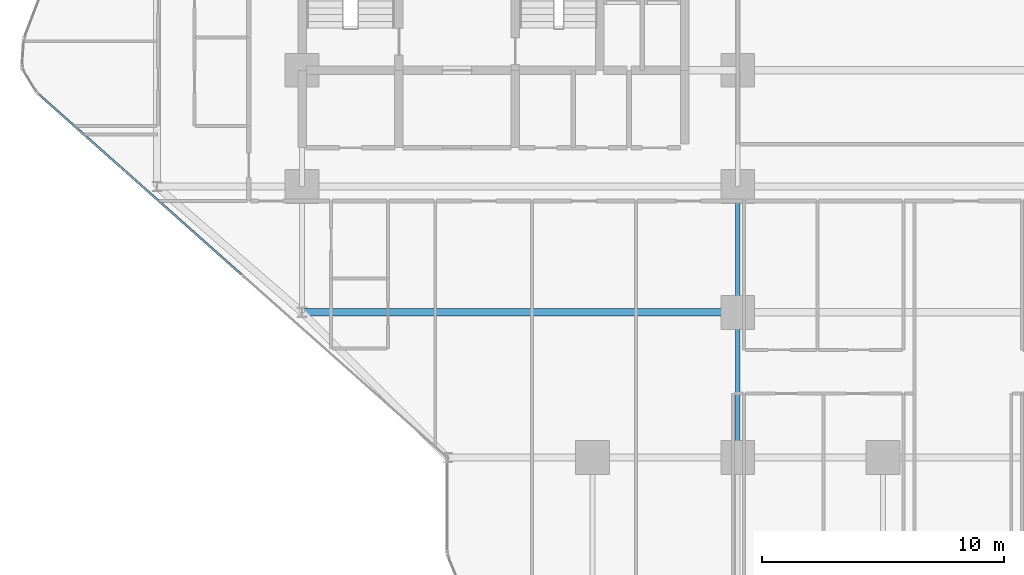
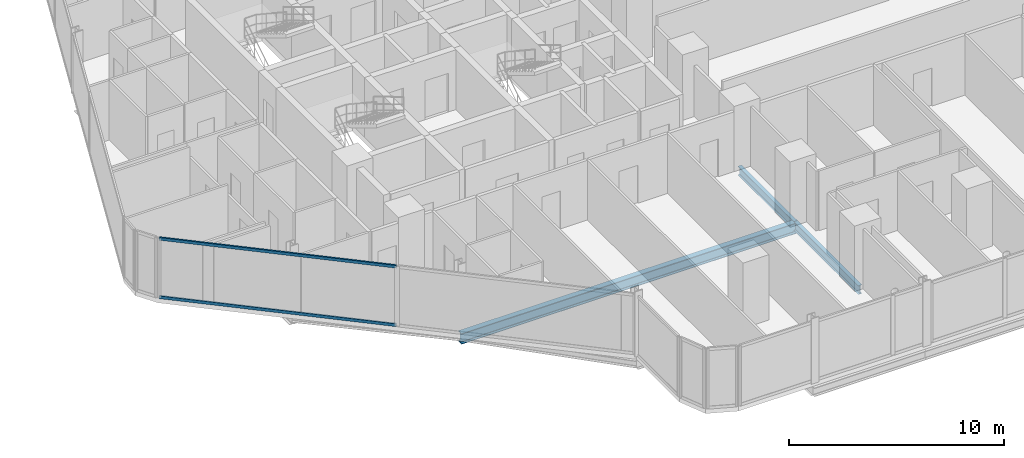
# One storey, part 4 of 33: 3 beams, 2 members, 1 element without a shape of its own.
"""IFC4 building model written with IfcOpenShell, lengths in metres."""

from ifc_helpers import new_model, si_unit, direction, frame, origin, origin_2d, place, context, subcontext, project, spatial, hollow_rectangle, i_section, extrude, material, layer, layer_set, material_profile, profile_set, type_object, element, aggregate, save


model = new_model("IFC4")

# Units and contexts
model_context = context("Model", 3, precision=1e-05, world=origin(), true_north=direction((0.0, 1.0)))
body_context = subcontext(model_context, "Body", "Model", "MODEL_VIEW")
ifc_project = project(units=[si_unit("LENGTHUNIT", "METRE"), si_unit("AREAUNIT", "SQUARE_METRE"), si_unit("VOLUMEUNIT", "CUBIC_METRE"), si_unit("PLANEANGLEUNIT", "RADIAN"), si_unit("MASSUNIT", "GRAM", prefix="KILO")], contexts=[model_context])

# Site, building, storey
site_placement = place(None, origin())
site = spatial("IfcSite", under=ifc_project, at=site_placement, CompositionType="ELEMENT")
building_placement = place(site_placement, origin())
building = spatial("IfcBuilding", under=site, at=building_placement, Name="Keshet Zoharim Tower", CompositionType="ELEMENT")
storey_placement = place(building_placement, frame((0.0, 0.0, 49.89990234375)))
storey = spatial("IfcBuildingStorey", under=building, at=storey_placement, Name="L11", CompositionType="ELEMENT", Elevation=49.89990234375)

# Beams
ifc_material_1 = material(Name="Steel S355", Category="steel")
ifc_material_profile_1 = material_profile(ifc_material_1, i_section(OverallWidth=0.300048828125, OverallDepth=0.60009765625, WebThickness=0.015380859375, FlangeThickness=0.030029296875, FilletRadius=0.027099609375, at=origin_2d()), Name="HEB600")
ifc_profile_set_1 = profile_set([ifc_material_profile_1], Name="Steel S355")
beam_type_1 = type_object("IfcBeamType", Name="BM-LNG-HB600", PredefinedType="BEAM", material=ifc_profile_set_1)
beam_1_placement = place(storey_placement, frame((15.0, 12.699951171875, -0.614990234375), z_axis=(1.0, 0.0, 0.0), x_axis=(0.0, 1.0, 0.0)))
element("IfcBeam", 1, at=beam_1_placement, inside=storey, type_object=beam_type_1, Name="L11 Primary Girder X-011", PredefinedType="BEAM", context=body_context, shape_type="SweptSolid", body=[
    extrude(i_section(OverallWidth=0.300048828125, OverallDepth=0.60009765625, WebThickness=0.015380859375, FlangeThickness=0.030029296875, FilletRadius=0.027099609375, at=origin_2d()), origin(), (0.0, 0.0, 1.0), 18.0),
])
ifc_material_profile_2 = material_profile(ifc_material_1, i_section(OverallWidth=0.199951171875, OverallDepth=0.5, WebThickness=0.01025390625, FlangeThickness=0.01611328125, FilletRadius=0.02099609375, at=origin_2d()), Name="IPE500")
ifc_profile_set_2 = profile_set([ifc_material_profile_2], Name="Steel S355")
beam_type_2 = type_object("IfcBeamType", Name="BM-PRI-IP500", PredefinedType="BEAM", material=ifc_profile_set_2)
beam_2_placement = place(storey_placement, frame((33.0, 6.699951171875, -0.56494140625), z_axis=(0.0, 1.0, 0.0), x_axis=(-1.0, 0.0, 0.0)))
element("IfcBeam", 2, at=beam_2_placement, inside=storey, type_object=beam_type_2, Name="L11 Primary Girder Y-006", PredefinedType="BEAM", context=body_context, shape_type="SweptSolid", body=[
    extrude(i_section(OverallWidth=0.199951171875, OverallDepth=0.5, WebThickness=0.01025390625, FlangeThickness=0.01611328125, FilletRadius=0.02099609375, at=origin_2d()), origin(), (0.0, 0.0, 1.0), 6.0),
])
beam_3_placement = place(storey_placement, frame((33.0, 12.699951171875, -0.56494140625), z_axis=(0.0, 1.0, 0.0), x_axis=(-1.0, 0.0, 0.0)))
element("IfcBeam", 3, at=beam_3_placement, inside=storey, type_object=beam_type_2, Name="L11 Primary Girder Y-007", PredefinedType="BEAM", context=body_context, shape_type="SweptSolid", body=[
    extrude(i_section(OverallWidth=0.199951171875, OverallDepth=0.5, WebThickness=0.01025390625, FlangeThickness=0.01611328125, FilletRadius=0.02099609375, at=origin_2d()), origin(), (0.0, 0.0, 1.0), 5.199951171875),
])

# Curtain wall, members
ifc_material_2 = material(Name="Aluminium 6063-T6", Category="aluminium")
ifc_layer = layer(ifc_material_2, 0.179931640625)
ifc_layer_set = layer_set([ifc_layer], Name="Aluminium 6063-T6")
curtain_wall_type = type_object("IfcCurtainWallType", Name="CW-SYS-01", PredefinedType="NOTDEFINED", material=ifc_layer_set)
curtain_wall_placement = place(storey_placement, origin())
curtain_wall = element("IfcCurtainWall", 4, at=curtain_wall_placement, inside=storey, type_object=curtain_wall_type, Name="L11 Unitised Curtain Wall 01", PredefinedType="NOTDEFINED")
ifc_material_profile_3 = material_profile(ifc_material_2, hollow_rectangle(XDim=0.0849609375, YDim=0.159912109375, WallThickness=0.00439453125, at=origin_2d()), Name="TRN-85x160")
ifc_profile_set_3 = profile_set([ifc_material_profile_3], Name="Aluminium 6063-T6")
member_type = type_object("IfcMemberType", Name="CWT-T16", PredefinedType="USERDEFINED", material=ifc_profile_set_3)
member_1_placement = place(storey_placement, frame((12.491455078125, 14.26318359375, 0.03515625), z_axis=(-0.747411714548, 0.664361143472, 0.0), x_axis=(-0.664361143472, -0.747411714548, 0.0)))
member_1 = element("IfcMember", 5, at=member_1_placement, type_object=member_type, Name="CW-01 transom 2.1", ObjectType="TRANSOM", PredefinedType="USERDEFINED", context=body_context, shape_type="SweptSolid", body=[
    extrude(hollow_rectangle(XDim=0.0849609375, YDim=0.159912109375, WallThickness=0.00439453125, at=origin_2d()), origin(), (0.0, 0.0, 1.0), 11.244140625),
])
member_2_placement = place(storey_placement, frame((12.491455078125, 14.26318359375, 3.35009765625), z_axis=(-0.747411714548, 0.664361143472, 0.0), x_axis=(-0.664361143472, -0.747411714548, 0.0)))
member_2 = element("IfcMember", 6, at=member_2_placement, type_object=member_type, Name="CW-01 transom 2.2", ObjectType="TRANSOM", PredefinedType="USERDEFINED", context=body_context, shape_type="SweptSolid", body=[
    extrude(hollow_rectangle(XDim=0.0849609375, YDim=0.159912109375, WallThickness=0.00439453125, at=origin_2d()), origin(), (0.0, 0.0, 1.0), 11.244140625),
])
aggregate(curtain_wall, [member_1, member_2])

save(model, "model.ifc")
